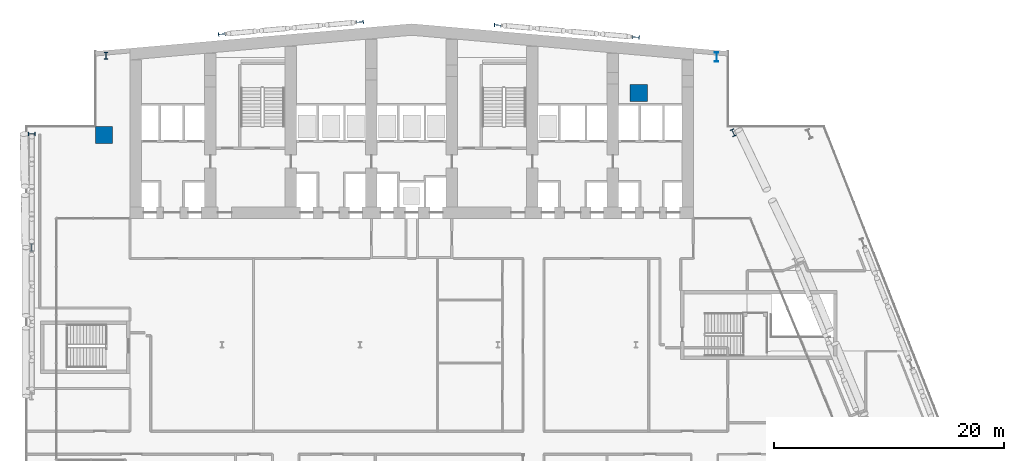
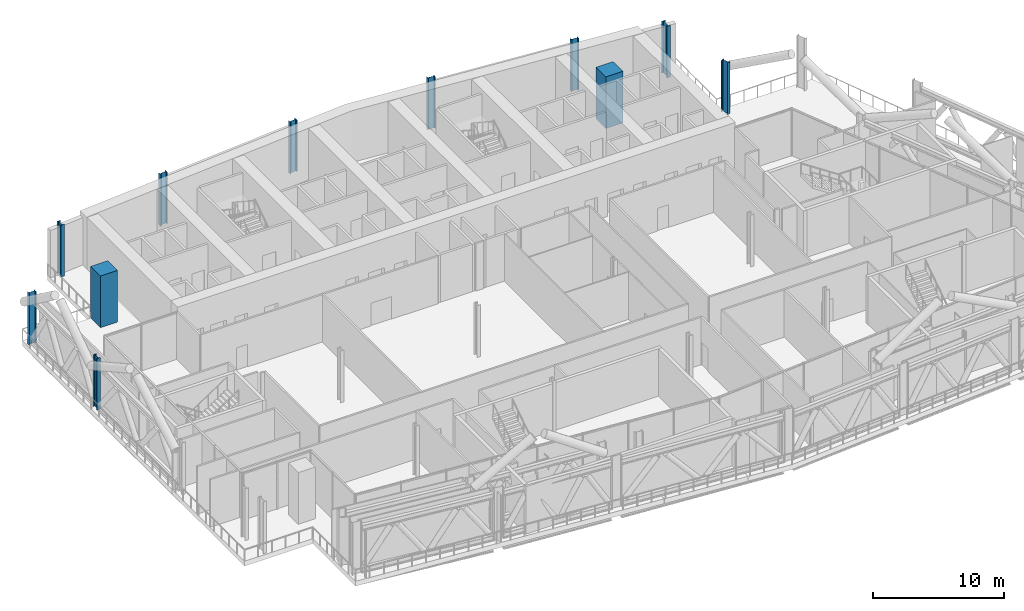
# One storey, part 3 of 42: 11 columns.
"""IFC4 building model written with IfcOpenShell, lengths in metres."""

from ifc_helpers import new_model, si_unit, direction, frame, origin, origin_2d, place, context, subcontext, project, spatial, rectangle, i_section, extrude, material, material_profile, profile_set, type_object, element, save


model = new_model("IFC4")

# Units and contexts
model_context = context("Model", 3, precision=1e-05, world=origin(), true_north=direction((0.0, 1.0)))
body_context = subcontext(model_context, "Body", "Model", "MODEL_VIEW")
ifc_project = project(units=[si_unit("LENGTHUNIT", "METRE"), si_unit("AREAUNIT", "SQUARE_METRE"), si_unit("VOLUMEUNIT", "CUBIC_METRE"), si_unit("PLANEANGLEUNIT", "RADIAN"), si_unit("MASSUNIT", "GRAM", prefix="KILO")], contexts=[model_context])

# Site, building, storey
site_placement = place(None, origin())
site = spatial("IfcSite", under=ifc_project, at=site_placement, CompositionType="ELEMENT")
building_placement = place(site_placement, origin())
building = spatial("IfcBuilding", under=site, at=building_placement, Name="Wharfspan Tower", CompositionType="ELEMENT")
storey_placement = place(building_placement, frame((0.0, 0.0, 147.100098)))
storey = spatial("IfcBuildingStorey", under=building, at=storey_placement, Name="L35", CompositionType="ELEMENT", Elevation=147.100098)

# Columns
ifc_material_1 = material(Name="Steel S355J2", Category="steel")
ifc_material_profile_1 = material_profile(ifc_material_1, i_section(OverallWidth=0.304932, OverallDepth=0.620117, WebThickness=0.020996, FlangeThickness=0.040039, FilletRadius=0.0271, at=origin_2d()))
ifc_profile_set_1 = profile_set([ifc_material_profile_1], Name="Steel S355J2")
column_type_1 = type_object("IfcColumnType", Name="Column HEM 600", PredefinedType="COLUMN", material=ifc_profile_set_1)
for number, where, z_axis, x_axis, name in (
    (1, (68.471924, 41.450439, 0.0), (0.0, 0.0, 1.0), (0.924325, 0.381602, 0.0), "Perimeter column PE.3 L35"),
    (2, (13.911133, 48.141113, 0.0), (0.0, 0.0, 1.0), (-1.0, 0.0, 0.0), "Perimeter column PNRW-V.1 L35"),
    (3, (7.450439, 41.333008, 0.0), (0.0, 0.0, 1.0), (0.0, 1.0, 0.0), "Perimeter column PNRW-H.1 L35"),
    (4, (7.449951, 31.466553, 0.0), (0.0, 0.0, 1.0), (-1.0, 0.0, 0.0), "Perimeter column PW.1 L35"),
    (5, (24.0, 50.027344, 0.0), (0.0, 0.0, 1.0), (-0.087156, 0.996198, 0.0), "Rear column R.1 L35"),
    (6, (36.0, 51.077148, 0.0), (0.0, 0.0, 1.0), (-0.087156, 0.996198, 0.0), "Rear column R.2 L35"),
    (7, (48.0, 50.814697, 0.0), (0.0, 0.0, 1.0), (0.087156, 0.996198, 0.0), "Rear column R.3 L35"),
    (8, (60.0, 49.764893, 0.0), (0.0, 0.0, 1.0), (0.087156, 0.996198, 0.0), "Rear column R.4 L35"),
):
    element("IfcColumn", number, at=place(storey_placement, frame(where, z_axis=z_axis, x_axis=x_axis)), inside=storey, type_object=column_type_1, Name=name, PredefinedType="COLUMN", context=body_context, shape_type="SweptSolid", body=[
        extrude(i_section(OverallWidth=0.304932, OverallDepth=0.620117, WebThickness=0.020996, FlangeThickness=0.040039, FilletRadius=0.0271, at=origin_2d()), origin(), (0.0, 0.0, 1.0), 4.799805),
    ])
ifc_material_profile_2 = material_profile(ifc_material_1, i_section(OverallWidth=0.302979, OverallDepth=0.813965, WebThickness=0.020996, FlangeThickness=0.040039, FilletRadius=0.030029, at=origin_2d()))
ifc_profile_set_2 = profile_set([ifc_material_profile_2], Name="Steel S355J2")
column_type_2 = type_object("IfcColumnType", Name="Column HEM 800", PredefinedType="COLUMN", material=ifc_profile_set_2)
column_placement = place(storey_placement, frame((67.031982, 48.035645, 0.0), z_axis=(0.0, 0.0, 1.0), x_axis=(1.0, 0.0, 0.0)))
element("IfcColumn", 9, at=column_placement, inside=storey, type_object=column_type_2, Name="Perimeter column PNRE-V.1.S L35", PredefinedType="COLUMN", context=body_context, shape_type="SweptSolid", body=[
    extrude(i_section(OverallWidth=0.302979, OverallDepth=0.813965, WebThickness=0.020996, FlangeThickness=0.040039, FilletRadius=0.030029, at=origin_2d()), origin(), (0.0, 0.0, 1.0), 4.799805),
])
ifc_material_2 = material(Name="Concrete C60/75", Category="concrete")
ifc_material_profile_3 = material_profile(ifc_material_2, rectangle(XDim=1.5, YDim=1.5, at=origin_2d()))
ifc_profile_set_3 = profile_set([ifc_material_profile_3], Name="Concrete C60/75")
column_type_3 = type_object("IfcColumnType", Name="Mega column 1500 C60/75", PredefinedType="COLUMN", material=ifc_profile_set_3)
for number, where, z_axis, x_axis, name in (
    (10, (13.75, 41.25, 0.0), (0.0, 0.0, 1.0), (1.0, 0.0, 0.0), "Mega column MC2 L35"),
    (11, (60.25, 44.899902, 0.0), (0.0, 0.0, 1.0), (1.0, 0.0, 0.0), "Mega column MC3 L35"),
):
    element("IfcColumn", number, at=place(storey_placement, frame(where, z_axis=z_axis, x_axis=x_axis)), inside=storey, type_object=column_type_3, Name=name, PredefinedType="COLUMN", context=body_context, shape_type="SweptSolid", body=[
        extrude(rectangle(XDim=1.5, YDim=1.5, at=origin_2d()), origin(), (0.0, 0.0, 1.0), 4.799805),
    ])

save(model, "model.ifc")
